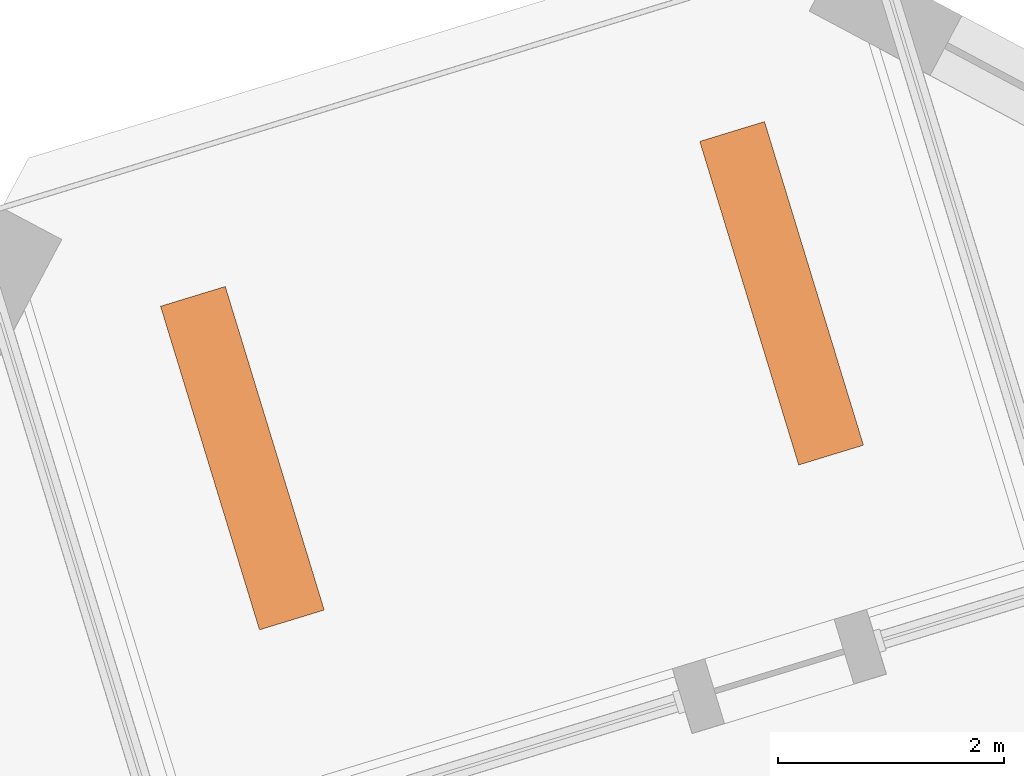
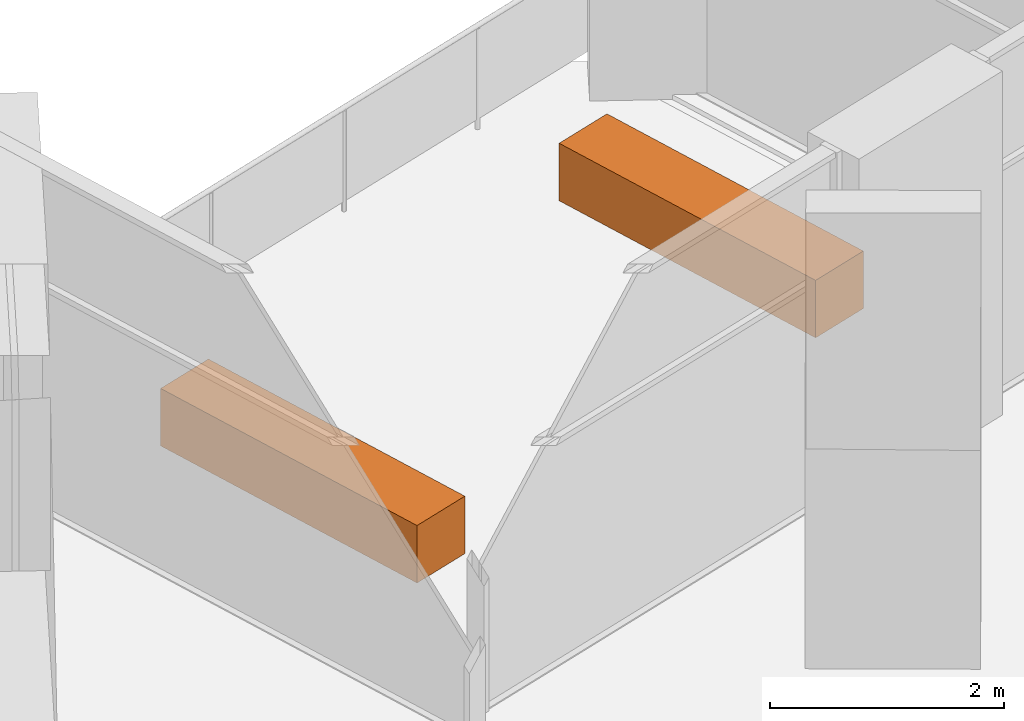
# One storey, part 13 of 13: 2 proxies.
"""IFC4 building model written with IfcOpenShell, lengths in metres."""

from ifc_helpers import new_model, si_unit, direction, frame, origin, origin_2d, place, context, subcontext, project, spatial, rectangle, extrude, element, save


model = new_model("IFC4")

# Units and contexts
model_context = context("Model", 3, precision=1e-05, world=origin(), true_north=direction((0.0, 1.0)))
body_context = subcontext(model_context, "Body", "Model", "MODEL_VIEW")
ifc_project = project(units=[si_unit("LENGTHUNIT", "METRE"), si_unit("AREAUNIT", "SQUARE_METRE"), si_unit("VOLUMEUNIT", "CUBIC_METRE"), si_unit("PLANEANGLEUNIT", "RADIAN"), si_unit("MASSUNIT", "GRAM", prefix="KILO")], contexts=[model_context])

# Site, building, storey
site_placement = place(None, origin())
site = spatial("IfcSite", under=ifc_project, at=site_placement, CompositionType="ELEMENT")
building_placement = place(site_placement, origin())
building = spatial("IfcBuilding", under=site, at=building_placement, Name="Dilmun Exchange Tower", CompositionType="ELEMENT")
storey_placement = place(building_placement, frame((0.0, 0.0, 278.89990234375)))
storey = spatial("IfcBuildingStorey", under=building, at=storey_placement, Name="L66", CompositionType="ELEMENT", Elevation=278.89990234375)

# Proxies
for number, where, z_axis, x_axis, name in (
    (1, (-2.510986328125, 32.000244140625, 0.0), (0.0, 0.0, 1.0), (-0.292371704723, 0.956304755963, 0.0), "PLANTER Date palm L66.1"),
    (2, (-7.29248046875, 30.538330078125, 0.0), (0.0, 0.0, 1.0), (-0.292371704723, 0.956304755963, 0.0), "PLANTER Date palm L66.2"),
):
    element("IfcBuildingElementProxy", number, at=place(storey_placement, frame(where, z_axis=z_axis, x_axis=x_axis)), inside=storey, Name=name, ObjectType="PLANTER", PredefinedType="USERDEFINED", context=body_context, shape_type="SweptSolid", body=[
        extrude(rectangle(XDim=3.0, YDim=0.60009765625, at=origin_2d()), origin(), (0.0, 0.0, 1.0), 0.60009765625),
    ])

save(model, "model.ifc")
